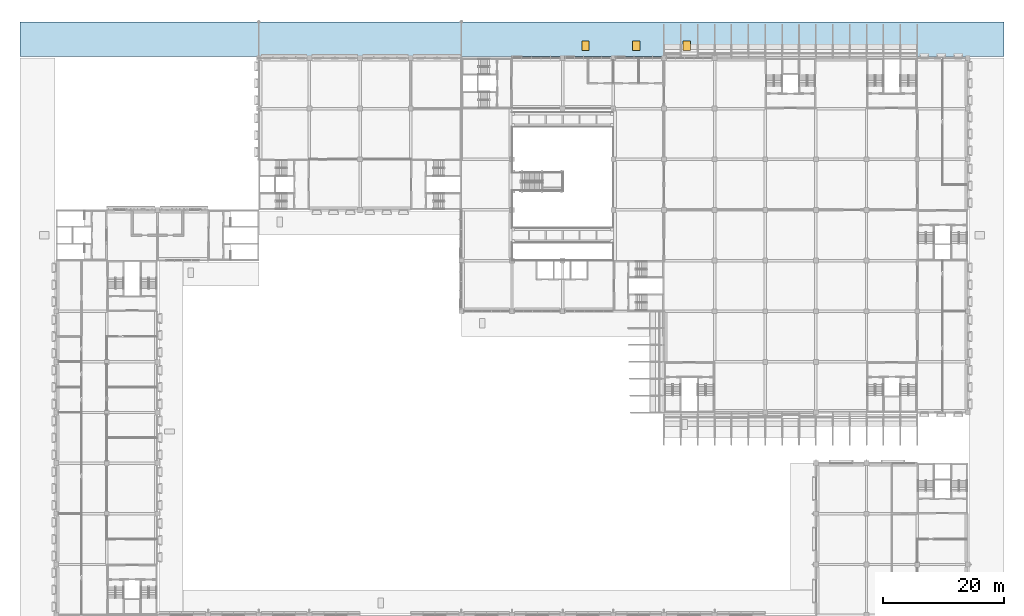
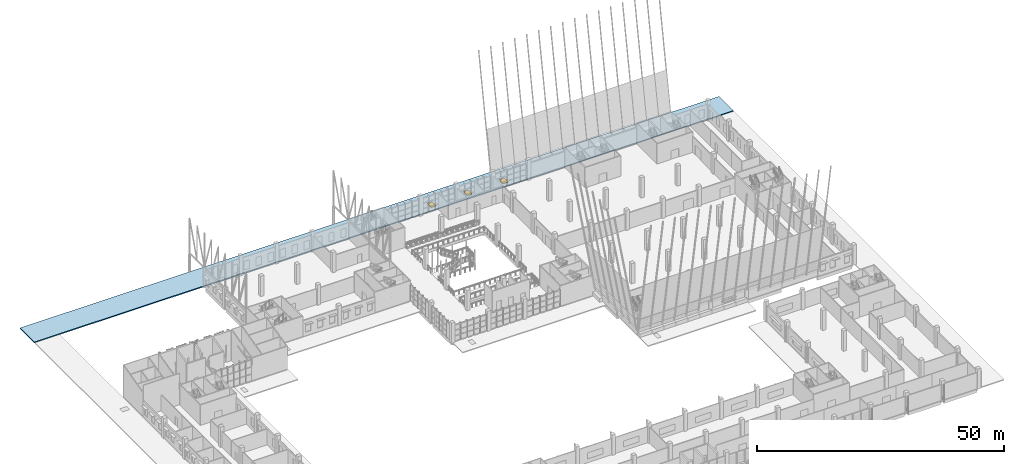
# One storey, part 25 of 101: 3 windows, 1 slab, 3 openings.
"""IFC4 building model written with IfcOpenShell, lengths in metres."""

from ifc_helpers import new_model, si_unit, direction, frame, origin, origin_2d, place, context, subcontext, project, spatial, polyline, rectangle, outline, extrude, material, layer, layer_set, type_object, element, fill, save


model = new_model("IFC4")

# Units and contexts
model_context = context("Model", 3, precision=1e-05, world=origin(), true_north=direction((0.0, 1.0)))
body_context = subcontext(model_context, "Body", "Model", "MODEL_VIEW")
ifc_project = project(units=[si_unit("LENGTHUNIT", "METRE"), si_unit("AREAUNIT", "SQUARE_METRE"), si_unit("VOLUMEUNIT", "CUBIC_METRE"), si_unit("PLANEANGLEUNIT", "RADIAN"), si_unit("MASSUNIT", "GRAM", prefix="KILO")], contexts=[model_context])

# Site, building, storey
site_placement = place(None, origin())
site = spatial("IfcSite", under=ifc_project, at=site_placement, CompositionType="ELEMENT")
building_placement = place(site_placement, origin())
building = spatial("IfcBuilding", under=site, at=building_placement, Name="Almond Square Museum", CompositionType="ELEMENT")
storey_placement = place(building_placement, frame((0.0, 0.0, 5.5)))
storey = spatial("IfcBuildingStorey", under=building, at=storey_placement, Name="L01", CompositionType="ELEMENT", Elevation=5.5)

# Slab, openings, windows
ifc_material_1 = material(Name="Timber deck and membrane roofing", Category="wood")
ifc_layer = layer(ifc_material_1, 0.25)
ifc_layer_set = layer_set([ifc_layer], Name="Timber deck and membrane roofing")
slab_type = type_object("IfcSlabType", Name="Arcade roof covering 250", PredefinedType="ROOF", material=ifc_layer_set)
slab_placement = place(storey_placement, frame((0.0, 0.0, -0.25)))
slab = element("IfcSlab", 1, at=slab_placement, inside=storey, type_object=slab_type, Name="Roof covering Arc North", PredefinedType="ROOF", context=body_context, shape_type="SweptSolid", body=[
    extrude(outline(polyline([(163.199951171875, 109.419921875), (163.199951171875, 115.199951171875), (0.0, 115.199951171875), (0.0, 109.419921875), (163.199951171875, 109.419921875)])), origin(), (0.0, 0.0, 1.0), 0.25),
])
opening_1_placement = place(slab_placement, frame((93.800048828125, 111.199951171875, -0.010009765625)))
opening_1 = element("IfcOpeningElement", 2, at=opening_1_placement, cuts=slab, Name="Opening RL301", PredefinedType="OPENING", context=body_context, shape_type="SweptSolid", body=[
    extrude(rectangle(XDim=1.199951171875, YDim=1.60009765625, at=origin_2d()), origin(), (0.0, 0.0, 1.0), 0.27001953125),
])
opening_2_placement = place(slab_placement, frame((102.199951171875, 111.199951171875, -0.010009765625)))
opening_2 = element("IfcOpeningElement", 3, at=opening_2_placement, cuts=slab, Name="Opening RL302", PredefinedType="OPENING", context=body_context, shape_type="SweptSolid", body=[
    extrude(rectangle(XDim=1.199951171875, YDim=1.60009765625, at=origin_2d()), origin(), (0.0, 0.0, 1.0), 0.27001953125),
])
opening_3_placement = place(slab_placement, frame((110.60009765625, 111.199951171875, -0.010009765625)))
opening_3 = element("IfcOpeningElement", 4, at=opening_3_placement, cuts=slab, Name="Opening RL304", PredefinedType="OPENING", context=body_context, shape_type="SweptSolid", body=[
    extrude(rectangle(XDim=1.199951171875, YDim=1.60009765625, at=origin_2d()), origin(), (0.0, 0.0, 1.0), 0.27001953125),
])
ifc_material_2 = material(Name="Aluminium frame and laminated glass", Category="aluminium")
window_type = type_object("IfcWindowType", Name="Entrance rooflight 1200 x 1600", PartitioningType="SINGLE_PANEL", PredefinedType="SKYLIGHT", material=ifc_material_2)
window_1_placement = place(opening_1_placement, frame((0.0, 0.0, 0.2099609375)))
window_1 = element("IfcWindow", 5, at=window_1_placement, inside=storey, type_object=window_type, Name="Rooflight", OverallHeight=1.60009765625, OverallWidth=1.199951171875, PartitioningType="SINGLE_PANEL", PredefinedType="SKYLIGHT", context=body_context, shape_type="SweptSolid", body=[
    extrude(rectangle(XDim=1.199951171875, YDim=1.60009765625, at=origin_2d()), origin(), (0.0, 0.0, 1.0), 0.050048828125),
])
fill(opening_1, window_1)
window_2_placement = place(opening_2_placement, frame((0.0, 0.0, 0.2099609375)))
window_2 = element("IfcWindow", 6, at=window_2_placement, inside=storey, type_object=window_type, Name="Rooflight", OverallHeight=1.60009765625, OverallWidth=1.199951171875, PartitioningType="SINGLE_PANEL", PredefinedType="SKYLIGHT", context=body_context, shape_type="SweptSolid", body=[
    extrude(rectangle(XDim=1.199951171875, YDim=1.60009765625, at=origin_2d()), origin(), (0.0, 0.0, 1.0), 0.050048828125),
])
fill(opening_2, window_2)
window_3_placement = place(opening_3_placement, frame((0.0, 0.0, 0.2099609375)))
window_3 = element("IfcWindow", 7, at=window_3_placement, inside=storey, type_object=window_type, Name="Rooflight", OverallHeight=1.60009765625, OverallWidth=1.199951171875, PartitioningType="SINGLE_PANEL", PredefinedType="SKYLIGHT", context=body_context, shape_type="SweptSolid", body=[
    extrude(rectangle(XDim=1.199951171875, YDim=1.60009765625, at=origin_2d()), origin(), (0.0, 0.0, 1.0), 0.050048828125),
])
fill(opening_3, window_3)

save(model, "model.ifc")
